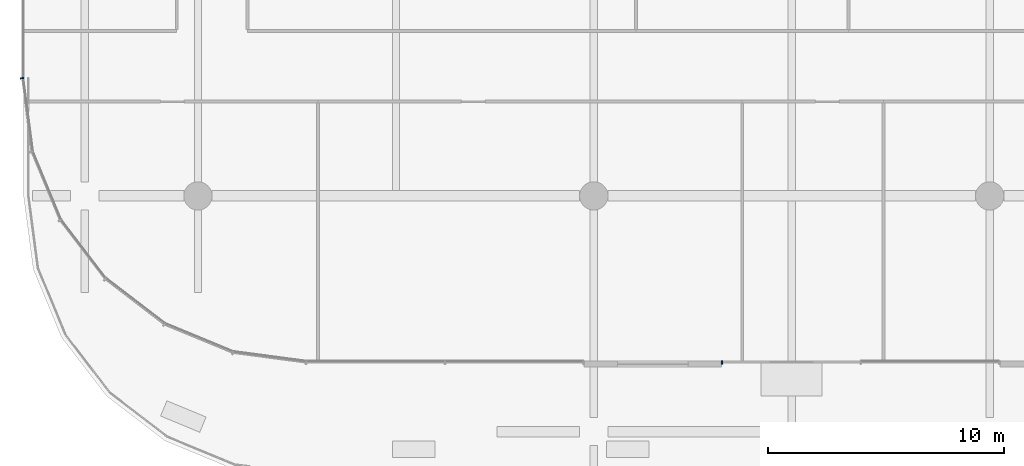
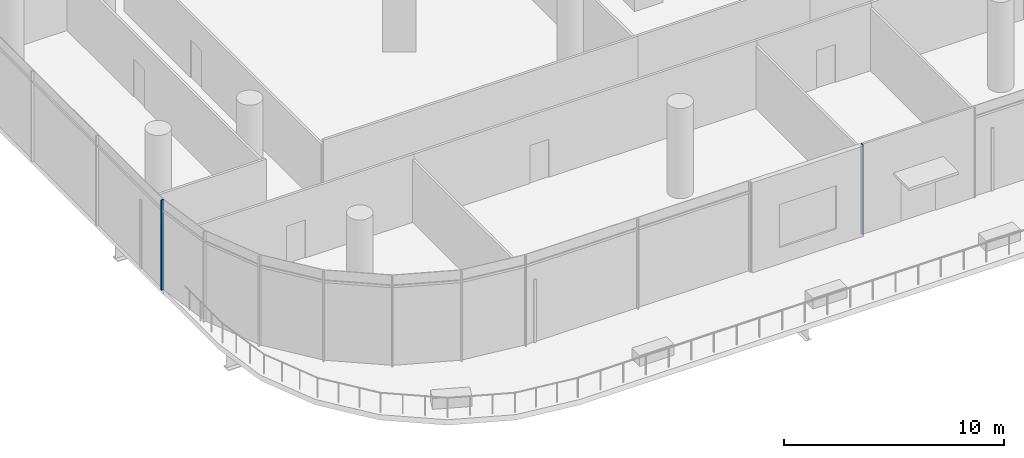
# One storey, part 3 of 51: 2 members, 1 element without a shape of its own.
"""IFC4 building model written with IfcOpenShell, lengths in metres."""

from ifc_helpers import new_model, si_unit, direction, frame, origin, origin_2d, place, context, subcontext, project, spatial, rectangle, extrude, material, material_profile, profile_set, type_object, element, aggregate, save


model = new_model("IFC4")

# Units and contexts
model_context = context("Model", 3, precision=1e-05, world=origin(), true_north=direction((0.0, 1.0)))
body_context = subcontext(model_context, "Body", "Model", "MODEL_VIEW")
ifc_project = project(units=[si_unit("LENGTHUNIT", "METRE"), si_unit("AREAUNIT", "SQUARE_METRE"), si_unit("VOLUMEUNIT", "CUBIC_METRE"), si_unit("PLANEANGLEUNIT", "RADIAN"), si_unit("MASSUNIT", "GRAM", prefix="KILO")], contexts=[model_context])

# Site, building, storey
site_placement = place(None, origin())
site = spatial("IfcSite", under=ifc_project, at=site_placement, CompositionType="ELEMENT")
building_placement = place(site_placement, origin())
building = spatial("IfcBuilding", under=site, at=building_placement, Name="Rimbun Link Towers", CompositionType="ELEMENT")
storey_placement = place(building_placement, frame((0.0, 0.0, 7.0)))
storey = spatial("IfcBuildingStorey", under=building, at=storey_placement, Name="L01", CompositionType="ELEMENT", Elevation=7.0)

# Curtain wall, members
ifc_material_1 = material(Name="Aluminium 6063-T6 and low-iron glass", Category="aluminium")
curtain_wall_type = type_object("IfcCurtainWallType", Name="CW3 podium shopfront", PredefinedType="NOTDEFINED", material=ifc_material_1)
curtain_wall_placement = place(storey_placement, origin())
curtain_wall = element("IfcCurtainWall", 1, at=curtain_wall_placement, inside=storey, type_object=curtain_wall_type, Name="CW3 L01 PD", PredefinedType="NOTDEFINED")
ifc_material_2 = material(Name="Aluminium 6063-T6", Category="aluminium")
ifc_material_profile = material_profile(ifc_material_2, rectangle(XDim=0.14990234375, YDim=0.06005859375, at=origin_2d()), Name="MULLION 60X150")
ifc_profile_set = profile_set([ifc_material_profile], Name="Aluminium 6063-T6")
member_type = type_object("IfcMemberType", Name="CW3 mullion 60X150", PredefinedType="MULLION", material=ifc_profile_set)
member_1_placement = place(storey_placement, frame((-62.074951171875, -31.0048828125, 0.0), z_axis=(0.0, 0.0, 1.0), x_axis=(-0.997858781723, -0.065405288299, 0.0)))
member_1 = element("IfcMember", 2, at=member_1_placement, type_object=member_type, Name="CW3 mullion", PredefinedType="MULLION", context=body_context, shape_type="SweptSolid", body=[
    extrude(rectangle(XDim=0.14990234375, YDim=0.06005859375, at=origin_2d()), origin(), (0.0, 0.0, 1.0), 5.0),
])
member_2_placement = place(storey_placement, frame((-32.35302734375, -43.074951171875, 0.0), z_axis=(0.0, 0.0, 1.0), x_axis=(0.0, -1.0, 0.0)))
member_2 = element("IfcMember", 3, at=member_2_placement, type_object=member_type, Name="CW3 mullion", PredefinedType="MULLION", context=body_context, shape_type="SweptSolid", body=[
    extrude(rectangle(XDim=0.14990234375, YDim=0.06005859375, at=origin_2d()), origin(), (0.0, 0.0, 1.0), 5.0),
])
aggregate(curtain_wall, [member_1, member_2])

save(model, "model.ifc")
